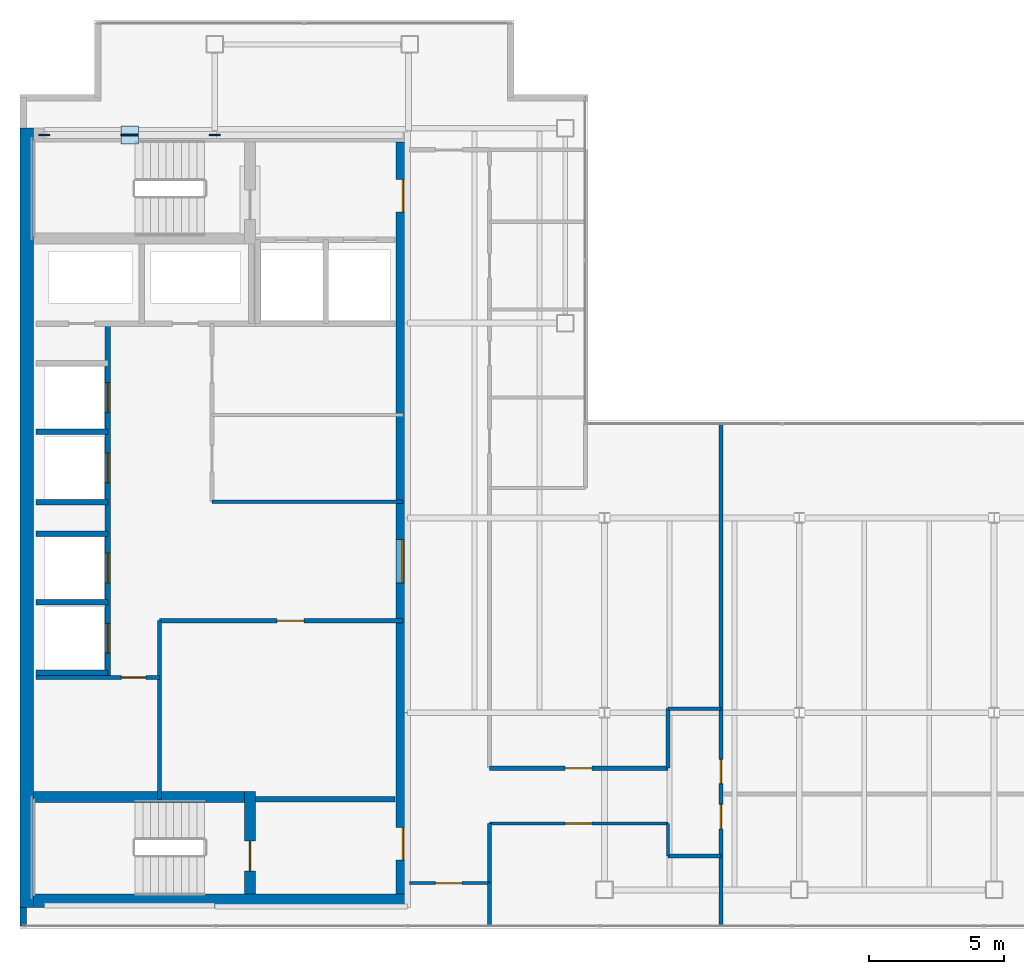
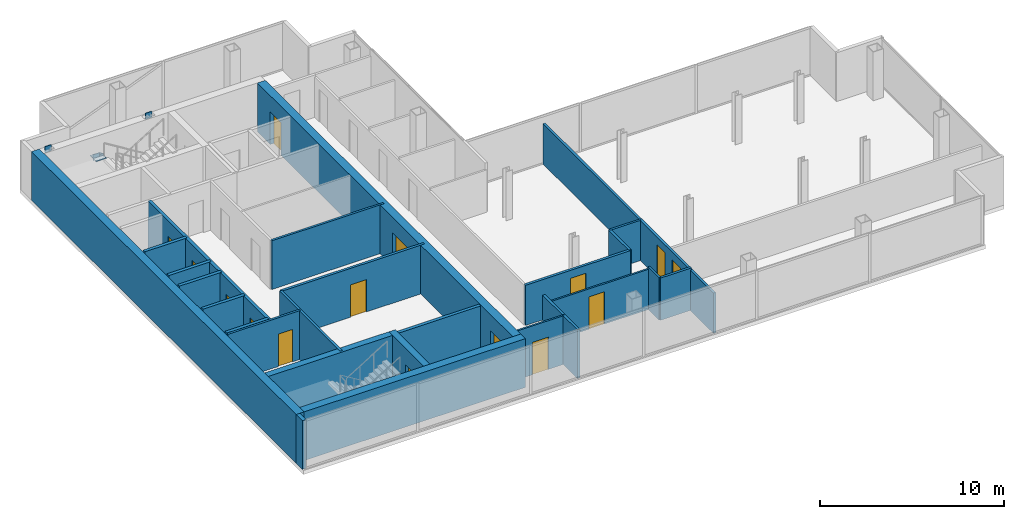
# One storey, part 21 of 24: 27 walls, 15 doors, 5 plates, 15 openings.
"""IFC4 building model written with IfcOpenShell, lengths in metres."""

from ifc_helpers import new_model, si_unit, direction, frame, frame_2d, origin, origin_2d, place, context, subcontext, project, spatial, rectangle, extrude, material, layer, layer_set, type_object, element, fill, save


model = new_model("IFC4")

# Units and contexts
model_context = context("Model", 3, precision=1e-05, world=origin(), true_north=direction((0.0, 1.0)))
body_context = subcontext(model_context, "Body", "Model", "MODEL_VIEW")
ifc_project = project(units=[si_unit("LENGTHUNIT", "METRE"), si_unit("AREAUNIT", "SQUARE_METRE"), si_unit("VOLUMEUNIT", "CUBIC_METRE"), si_unit("PLANEANGLEUNIT", "RADIAN"), si_unit("MASSUNIT", "GRAM", prefix="KILO")], contexts=[model_context])

# Site, building, storey
site_placement = place(None, origin())
site = spatial("IfcSite", under=ifc_project, at=site_placement, CompositionType="ELEMENT")
building_placement = place(site_placement, origin())
building = spatial("IfcBuilding", under=site, at=building_placement, Name="Cobrela Telecom Tower", CompositionType="ELEMENT")
storey_placement = place(building_placement, frame((0.0, 0.0, 248.14990234375)))
storey = spatial("IfcBuildingStorey", under=building, at=storey_placement, Name="L64", CompositionType="ELEMENT", Elevation=248.14990234375)

# Plates
ifc_material_1 = material(Name="Steel ASTM A572 Grade 50", Category="steel")
ifc_layer_1 = layer(ifc_material_1, 0.0419921875)
ifc_layer_set_1 = layer_set([ifc_layer_1], Name="Steel ASTM A572 Grade 50")
plate_type = type_object("IfcPlateType", Name="PLT-NODE-ND1", PredefinedType="USERDEFINED", material=ifc_layer_set_1)
for number, where, z_axis, x_axis, name in (
    (1, (7.199951171875, 35.75, 3.0751953125), (0.0, 0.0, 1.0), (1.0, 0.0, 0.0), "Steel node plate PLT-MBR-EXO-L64-N1-A-1"),
    (2, (4.173828125, 35.75, 1.349609375), (0.0, 0.0, 1.0), (-1.0, 0.0, 0.0), "Steel node plate PLT-MBR-EXO-L64-N1-B1-1"),
    (3, (3.926025390625, 35.75, 1.48046875), (0.0, 0.0, 1.0), (-1.0, 0.0, 0.0), "Steel node plate PLT-MBR-EXO-L64-N1-B2-0"),
    (4, (0.89990234375, 35.75, 3.0751953125), (0.0, 0.0, 1.0), (-1.0, 0.0, 0.0), "Steel node plate PLT-MBR-EXO-L64-N1-B2-1"),
):
    element("IfcPlate", number, at=place(storey_placement, frame(where, z_axis=z_axis, x_axis=x_axis)), inside=storey, type_object=plate_type, Name=name, ObjectType="GUSSET PLATE", PredefinedType="USERDEFINED", context=body_context, shape_type="SweptSolid", body=[
        extrude(rectangle(XDim=0.409912109375, YDim=0.044921875, at=origin_2d()), origin(), (0.0, 0.0, 1.0), 0.409912109375),
    ])
plate_placement = place(storey_placement, frame((4.050048828125, 35.75, 1.59765625), z_axis=(0.0, 0.0, 1.0), x_axis=(1.0, 0.0, 0.0)))
element("IfcPlate", 5, at=plate_placement, inside=storey, type_object=plate_type, Name="L64 Core Flange Steel X-Brace Central X-Crossing Gusset Plate", ObjectType="GUSSET PLATE", PredefinedType="USERDEFINED", context=body_context, shape_type="SweptSolid", body=[
    extrude(rectangle(XDim=0.64990234375, YDim=0.64990234375, at=origin_2d()), origin(), (0.0, 0.0, 1.0), 0.044921875),
])

# Walls
ifc_material_2 = material(Name="Concrete C40/50", Category="concrete")
ifc_layer_2 = layer(ifc_material_2, 0.5)
ifc_layer_set_2 = layer_set([ifc_layer_2], Name="Concrete C40/50")
wall_type_1 = type_object("IfcWallType", Name="WALL-CORE-C40-500", PredefinedType="SHEAR", material=ifc_layer_set_2)
wall_1_placement = place(storey_placement, frame((0.25, 7.199951171875, 0.0), z_axis=(0.0, 0.0, 1.0), x_axis=(0.0, 1.0, 0.0)))
element("IfcWall", 6, at=wall_1_placement, inside=storey, type_object=wall_type_1, Name="L64 West Core Shear Wall", PredefinedType="SHEAR", context=body_context, shape_type="SweptSolid", body=[
    extrude(rectangle(XDim=28.800048828125, YDim=0.5, at=frame_2d((14.39990234375, 0.0))), origin(), (0.0, 0.0, 1.0), 3.239990234375),
])
wall_2_placement = place(storey_placement, frame((0.5, 7.449951171875, 0.0), z_axis=(0.0, 0.0, 1.0), x_axis=(1.0, 0.0, 0.0)))
element("IfcWall", 7, at=wall_2_placement, inside=storey, type_object=wall_type_1, Name="L64 South Core Shear Wall", PredefinedType="SHEAR", context=body_context, shape_type="SweptSolid", body=[
    extrude(rectangle(XDim=13.89990234375, YDim=0.5, at=frame_2d((6.949951171875, 0.0))), origin(), (0.0, 0.0, 1.0), 3.239990234375),
])

# Wall, openings, doors
wall_3_placement = place(storey_placement, frame((14.14990234375, 35.5, 0.0), z_axis=(0.0, 0.0, 1.0), x_axis=(0.0, -1.0, 0.0)))
wall_3 = element("IfcWall", 8, at=wall_3_placement, inside=storey, type_object=wall_type_1, Name="L64 East Core Shear Wall", PredefinedType="SHEAR", context=body_context, shape_type="SweptSolid", body=[
    extrude(rectangle(XDim=27.800048828125, YDim=0.5, at=frame_2d((13.89990234375, 0.0))), origin(), (0.0, 0.0, 1.0), 3.239990234375),
])
opening_1_placement = place(wall_3_placement, frame((1.39990234375, 0.0, 0.0)))
opening_1 = element("IfcOpeningElement", 9, at=opening_1_placement, cuts=wall_3, Name="Opening DR-19", PredefinedType="OPENING", context=body_context, shape_type="SweptSolid", body=[
    extrude(rectangle(XDim=1.199951171875, YDim=2.14990234375, at=frame_2d((0.60009765625, 1.074951171875))), frame((0.0, 0.261962890625, 0.0), z_axis=(0.0, -1.0, 0.0), x_axis=(1.0, 0.0, 0.0)), (0.0, 0.0, 1.0), 0.52392578125),
])
opening_2_placement = place(wall_3_placement, frame((25.35009765625, 0.0, 0.0)))
opening_2 = element("IfcOpeningElement", 10, at=opening_2_placement, cuts=wall_3, Name="Opening DR-19", PredefinedType="OPENING", context=body_context, shape_type="SweptSolid", body=[
    extrude(rectangle(XDim=1.199951171875, YDim=2.14990234375, at=frame_2d((0.60009765625, 1.074951171875))), frame((0.0, 0.261962890625, 0.0), z_axis=(0.0, -1.0, 0.0), x_axis=(1.0, 0.0, 0.0)), (0.0, 0.0, 1.0), 0.52392578125),
])
opening_3_placement = place(wall_3_placement, frame((14.699951171875, 0.0, 0.0)))
opening_3 = element("IfcOpeningElement", 11, at=opening_3_placement, cuts=wall_3, Name="Opening DR-51", PredefinedType="OPENING", context=body_context, shape_type="SweptSolid", body=[
    extrude(rectangle(XDim=1.60009765625, YDim=2.199951171875, at=frame_2d((0.800048828125, 1.10009765625))), frame((0.0, 0.261962890625, 0.0), z_axis=(0.0, -1.0, 0.0), x_axis=(1.0, 0.0, 0.0)), (0.0, 0.0, 1.0), 0.52392578125),
])
ifc_material_3 = material(Name="Steel ASTM A36", Category="steel")
door_type_1 = type_object("IfcDoorType", Name="DOOR-FD60-1200", OperationType="SINGLE_SWING_LEFT", PredefinedType="DOOR", material=ifc_material_3)
door_1_placement = place(opening_1_placement, origin())
door_1 = element("IfcDoor", 12, at=door_1_placement, inside=storey, type_object=door_type_1, Name="L64 Door DR-19", OperationType="SINGLE_SWING_LEFT", OverallHeight=2.14990234375, OverallWidth=1.199951171875, PredefinedType="DOOR", context=body_context, shape_type="SweptSolid", body=[
    extrude(rectangle(XDim=1.199951171875, YDim=2.14990234375, at=frame_2d((0.60009765625, 1.074951171875))), frame((0.0, 0.02490234375, 0.0), z_axis=(0.0, -1.0, 0.0), x_axis=(1.0, 0.0, 0.0)), (0.0, 0.0, 1.0), 0.050048828125),
])
fill(opening_1, door_1)
door_2_placement = place(opening_2_placement, origin())
door_2 = element("IfcDoor", 13, at=door_2_placement, inside=storey, type_object=door_type_1, Name="L64 Door DR-19", OperationType="SINGLE_SWING_RIGHT", OverallHeight=2.14990234375, OverallWidth=1.199951171875, PredefinedType="DOOR", context=body_context, shape_type="SweptSolid", body=[
    extrude(rectangle(XDim=1.199951171875, YDim=2.14990234375, at=frame_2d((0.60009765625, 1.074951171875))), frame((0.0, 0.02490234375, 0.0), z_axis=(0.0, -1.0, 0.0), x_axis=(1.0, 0.0, 0.0)), (0.0, 0.0, 1.0), 0.050048828125),
])
fill(opening_2, door_2)
door_type_2 = type_object("IfcDoorType", Name="DOOR-FD60-1600", OperationType="SINGLE_SWING_LEFT", PredefinedType="DOOR", material=ifc_material_3)
door_3_placement = place(opening_3_placement, origin())
door_3 = element("IfcDoor", 14, at=door_3_placement, inside=storey, type_object=door_type_2, Name="L64 Door DR-51", OperationType="DOUBLE_DOOR_SINGLE_SWING", OverallHeight=2.199951171875, OverallWidth=1.60009765625, PredefinedType="DOOR", context=body_context, shape_type="SweptSolid", body=[
    extrude(rectangle(XDim=1.60009765625, YDim=2.199951171875, at=frame_2d((0.800048828125, 1.10009765625))), frame((0.0, 0.02490234375, 0.0), z_axis=(0.0, -1.0, 0.0), x_axis=(1.0, 0.0, 0.0)), (0.0, 0.0, 1.0), 0.050048828125),
])
fill(opening_3, door_3)

# Wall
ifc_layer_3 = layer(ifc_material_2, 0.239990234375)
ifc_layer_set_3 = layer_set([ifc_layer_3], Name="Concrete C40/50")
wall_type_2 = type_object("IfcWallType", Name="WALL-EXT-300", PredefinedType="STANDARD", material=ifc_layer_set_3)
wall_4_placement = place(storey_placement, frame((0.1201171875, 6.52001953125, 0.0), z_axis=(0.0, 0.0, 1.0), x_axis=(0.0, 1.0, 0.0)))
element("IfcWall", 15, at=wall_4_placement, inside=storey, type_object=wall_type_2, Name="L64 Insulated Facade Wall 01", PredefinedType="STANDARD", context=body_context, shape_type="SweptSolid", body=[
    extrude(rectangle(XDim=0.679931640625, YDim=0.239990234375, at=frame_2d((0.33984375, 0.0))), origin(), (0.0, 0.0, 1.0), 3.239990234375),
])

# Wall, opening, door
ifc_material_4 = material(Name="Fire-Rated Gypsum Plasterboard")
ifc_layer_4 = layer(ifc_material_4, 0.110107421875)
ifc_layer_set_4 = layer_set([ifc_layer_4], Name="Fire-Rated Gypsum Plasterboard")
wall_type_3 = type_object("IfcWallType", Name="WALL-PART-110", PredefinedType="PARTITIONING", material=ifc_layer_set_4)
wall_5_placement = place(storey_placement, frame((14.39990234375, 8.10009765625, 0.0), z_axis=(0.0, 0.0, 1.0), x_axis=(1.0, 0.0, 0.0)))
wall_5 = element("IfcWall", 16, at=wall_5_placement, inside=storey, type_object=wall_type_3, Name="L64 Interior Partition W-C-S0", PredefinedType="PARTITIONING", context=body_context, shape_type="SweptSolid", body=[
    extrude(rectangle(XDim=2.9501953125, YDim=0.110107421875, at=frame_2d((1.47509765625, 0.0))), origin(), (0.0, 0.0, 1.0), 3.239990234375),
])
opening_4_placement = place(wall_5_placement, frame((0.949951171875, 0.0, 0.0)))
opening_4 = element("IfcOpeningElement", 17, at=opening_4_placement, cuts=wall_5, Name="Opening DR-17", PredefinedType="OPENING", context=body_context, shape_type="SweptSolid", body=[
    extrude(rectangle(XDim=0.97998046875, YDim=2.14990234375, at=frame_2d((0.489990234375, 1.074951171875))), frame((0.0, 0.06689453125, 0.0), z_axis=(0.0, -1.0, 0.0), x_axis=(1.0, 0.0, 0.0)), (0.0, 0.0, 1.0), 0.134033203125),
])
ifc_material_5 = material(Name="Solid Engineered Oak Timber", Category="wood")
door_type_3 = type_object("IfcDoorType", Name="DOOR-INT-980", OperationType="SINGLE_SWING_LEFT", PredefinedType="DOOR", material=ifc_material_5)
door_4_placement = place(opening_4_placement, origin())
door_4 = element("IfcDoor", 18, at=door_4_placement, inside=storey, type_object=door_type_3, Name="L64 Door DR-17", OperationType="SINGLE_SWING_RIGHT", OverallHeight=2.14990234375, OverallWidth=0.97998046875, PredefinedType="DOOR", context=body_context, shape_type="SweptSolid", body=[
    extrude(rectangle(XDim=0.97998046875, YDim=2.14990234375, at=frame_2d((0.489990234375, 1.074951171875))), frame((0.0, 0.02490234375, 0.0), z_axis=(0.0, -1.0, 0.0), x_axis=(1.0, 0.0, 0.0)), (0.0, 0.0, 1.0), 0.050048828125),
])
fill(opening_4, door_4)

wall_6_placement = place(storey_placement, frame((17.35009765625, 10.300048828125, 0.0), z_axis=(0.0, 0.0, 1.0), x_axis=(1.0, 0.0, 0.0)))
wall_6 = element("IfcWall", 19, at=wall_6_placement, inside=storey, type_object=wall_type_3, Name="L64 Interior Partition W-C-HS", PredefinedType="PARTITIONING", context=body_context, shape_type="SweptSolid", body=[
    extrude(rectangle(XDim=6.599853515625, YDim=0.110107421875, at=frame_2d((3.2998046875, 0.0))), origin(), (0.0, 0.0, 1.0), 2.676025390625),
])
opening_5_placement = place(wall_6_placement, frame((2.800048828125, 0.0, 0.0)))
opening_5 = element("IfcOpeningElement", 20, at=opening_5_placement, cuts=wall_6, Name="Opening DR-17", PredefinedType="OPENING", context=body_context, shape_type="SweptSolid", body=[
    extrude(rectangle(XDim=0.97998046875, YDim=2.14990234375, at=frame_2d((0.489990234375, 1.074951171875))), frame((0.0, 0.06689453125, 0.0), z_axis=(0.0, -1.0, 0.0), x_axis=(1.0, 0.0, 0.0)), (0.0, 0.0, 1.0), 0.134033203125),
])
door_5_placement = place(opening_5_placement, origin())
door_5 = element("IfcDoor", 21, at=door_5_placement, inside=storey, type_object=door_type_3, Name="L64 Door DR-17", OperationType="SINGLE_SWING_LEFT", OverallHeight=2.14990234375, OverallWidth=0.97998046875, PredefinedType="DOOR", context=body_context, shape_type="SweptSolid", body=[
    extrude(rectangle(XDim=0.97998046875, YDim=2.14990234375, at=frame_2d((0.489990234375, 1.074951171875))), frame((0.0, 0.02490234375, 0.0), z_axis=(0.0, -1.0, 0.0), x_axis=(1.0, 0.0, 0.0)), (0.0, 0.0, 1.0), 0.050048828125),
])
fill(opening_5, door_5)

# Walls
wall_7_placement = place(storey_placement, frame((23.949951171875, 9.10009765625, 0.0), z_axis=(0.0, 0.0, 1.0), x_axis=(0.0, 1.0, 0.0)))
element("IfcWall", 22, at=wall_7_placement, inside=storey, type_object=wall_type_3, Name="L64 Interior Partition W-CT-JW1", PredefinedType="PARTITIONING", context=body_context, shape_type="SweptSolid", body=[
    extrude(rectangle(XDim=1.199951171875, YDim=0.110107421875, at=frame_2d((0.60009765625, 0.0))), origin(), (0.0, 0.0, 1.0), 2.80810546875),
])
ifc_layer_5 = layer(ifc_material_4, 0.135009765625)
ifc_layer_set_5 = layer_set([ifc_layer_5], Name="Fire-Rated Gypsum Plasterboard")
wall_type_4 = type_object("IfcWallType", Name="WALL-PART-135", PredefinedType="PARTITIONING", material=ifc_layer_set_5)
wall_8_placement = place(storey_placement, frame((7.10009765625, 22.199951171875, 0.0), z_axis=(0.0, 0.0, 1.0), x_axis=(1.0, 0.0, 0.0)))
element("IfcWall", 23, at=wall_8_placement, inside=storey, type_object=wall_type_4, Name="L64 Interior Partition CW-RECL-S", PredefinedType="PARTITIONING", context=body_context, shape_type="SweptSolid", body=[
    extrude(rectangle(XDim=7.0498046875, YDim=0.135009765625, at=frame_2d((3.52490234375, 0.0))), origin(), (0.0, 0.0, 1.0), 3.239990234375),
])

# Wall, opening, door
wall_9_placement = place(storey_placement, frame((0.60009765625, 15.699951171875, 0.0), z_axis=(0.0, 0.0, 1.0), x_axis=(1.0, 0.0, 0.0)))
wall_9 = element("IfcWall", 24, at=wall_9_placement, inside=storey, type_object=wall_type_4, Name="L64 Interior Partition CW-FLEX-N", PredefinedType="PARTITIONING", context=body_context, shape_type="SweptSolid", body=[
    extrude(rectangle(XDim=4.5498046875, YDim=0.135009765625, at=frame_2d((2.27490234375, 0.0))), origin(), (0.0, 0.0, 1.0), 3.239990234375),
])
opening_6_placement = place(wall_9_placement, frame((3.14990234375, 0.0, 0.0)))
opening_6 = element("IfcOpeningElement", 25, at=opening_6_placement, cuts=wall_9, Name="Opening DR-41", PredefinedType="OPENING", context=body_context, shape_type="SweptSolid", body=[
    extrude(rectangle(XDim=0.89990234375, YDim=2.14990234375, at=frame_2d((0.449951171875, 1.074951171875))), frame((0.0, 0.07958984375, 0.0), z_axis=(0.0, -1.0, 0.0), x_axis=(1.0, 0.0, 0.0)), (0.0, 0.0, 1.0), 0.158935546875),
])
door_type_4 = type_object("IfcDoorType", Name="DOOR-INT-900", OperationType="SINGLE_SWING_LEFT", PredefinedType="DOOR", material=ifc_material_5)
door_6_placement = place(opening_6_placement, origin())
door_6 = element("IfcDoor", 26, at=door_6_placement, inside=storey, type_object=door_type_4, Name="L64 Door DR-41", OperationType="SINGLE_SWING_LEFT", OverallHeight=2.14990234375, OverallWidth=0.89990234375, PredefinedType="DOOR", context=body_context, shape_type="SweptSolid", body=[
    extrude(rectangle(XDim=0.89990234375, YDim=2.14990234375, at=frame_2d((0.449951171875, 1.074951171875))), frame((0.0, 0.02490234375, 0.0), z_axis=(0.0, -1.0, 0.0), x_axis=(1.0, 0.0, 0.0)), (0.0, 0.0, 1.0), 0.050048828125),
])
fill(opening_6, door_6)

# Walls
wall_10_placement = place(storey_placement, frame((23.949951171875, 14.550048828125, 0.0), z_axis=(0.0, 0.0, 1.0), x_axis=(1.0, 0.0, 0.0)))
element("IfcWall", 27, at=wall_10_placement, inside=storey, type_object=wall_type_4, Name="L64 Interior Partition W-CT-N", PredefinedType="PARTITIONING", context=body_context, shape_type="SweptSolid", body=[
    extrude(rectangle(XDim=1.949951171875, YDim=0.135009765625, at=frame_2d((0.97509765625, 0.0))), origin(), (0.0, 0.0, 1.0), 2.676025390625),
])
ifc_layer_6 = layer(ifc_material_4, 0.14990234375)
ifc_layer_set_6 = layer_set([ifc_layer_6], Name="Fire-Rated Gypsum Plasterboard")
wall_type_5 = type_object("IfcWallType", Name="WALL-PART-150", PredefinedType="PARTITIONING", material=ifc_layer_set_6)
wall_11_placement = place(storey_placement, frame((5.14990234375, 11.199951171875, 0.0), z_axis=(0.0, 0.0, 1.0), x_axis=(0.0, 1.0, 0.0)))
element("IfcWall", 28, at=wall_11_placement, inside=storey, type_object=wall_type_5, Name="L64 Interior Partition CW-RECM-W", PredefinedType="PARTITIONING", context=body_context, shape_type="SweptSolid", body=[
    extrude(rectangle(XDim=6.60009765625, YDim=0.14990234375, at=frame_2d((3.300048828125, 0.0))), origin(), (0.0, 0.0, 1.0), 3.239990234375),
])
wall_12_placement = place(storey_placement, frame((17.35009765625, 8.10009765625, 0.0), z_axis=(0.0, 0.0, 1.0), x_axis=(0.0, 1.0, 0.0)))
element("IfcWall", 29, at=wall_12_placement, inside=storey, type_object=wall_type_5, Name="L64 Interior Partition W-C-E1", PredefinedType="PARTITIONING", context=body_context, shape_type="SweptSolid", body=[
    extrude(rectangle(XDim=2.199951171875, YDim=0.14990234375, at=frame_2d((1.10009765625, 0.0))), origin(), (0.0, 0.0, 1.0), 3.239990234375),
])
wall_13_placement = place(storey_placement, frame((23.949951171875, 9.10009765625, 0.0), z_axis=(0.0, 0.0, 1.0), x_axis=(1.0, 0.0, 0.0)))
element("IfcWall", 30, at=wall_13_placement, inside=storey, type_object=wall_type_5, Name="L64 Interior Partition W-CT-S", PredefinedType="PARTITIONING", context=body_context, shape_type="SweptSolid", body=[
    extrude(rectangle(XDim=1.949951171875, YDim=0.14990234375, at=frame_2d((0.97509765625, 0.0))), origin(), (0.0, 0.0, 1.0), 2.80810546875),
])

# Wall, openings, doors
wall_14_placement = place(storey_placement, frame((25.89990234375, 6.52001953125, 0.0), z_axis=(0.0, 0.0, 1.0), x_axis=(0.0, 1.0, 0.0)))
wall_14 = element("IfcWall", 31, at=wall_14_placement, inside=storey, type_object=wall_type_5, Name="L64 Interior Partition W-C-END", PredefinedType="PARTITIONING", context=body_context, shape_type="SweptSolid", body=[
    extrude(rectangle(XDim=18.56005859375, YDim=0.14990234375, at=frame_2d((9.280029296875, 0.0))), origin(), (0.0, 0.0, 1.0), 2.676025390625),
])
opening_7_placement = place(wall_14_placement, frame((3.590087890625, 0.0, 0.0)))
opening_7 = element("IfcOpeningElement", 32, at=opening_7_placement, cuts=wall_14, Name="Opening DR-41", PredefinedType="OPENING", context=body_context, shape_type="SweptSolid", body=[
    extrude(rectangle(XDim=0.89990234375, YDim=2.14990234375, at=frame_2d((0.449951171875, 1.074951171875))), frame((0.0, 0.0869140625, 0.0), z_axis=(0.0, -1.0, 0.0), x_axis=(1.0, 0.0, 0.0)), (0.0, 0.0, 1.0), 0.173828125),
])
opening_8_placement = place(wall_14_placement, frame((5.260009765625, 0.0, 0.0)))
opening_8 = element("IfcOpeningElement", 33, at=opening_8_placement, cuts=wall_14, Name="Opening DR-41", PredefinedType="OPENING", context=body_context, shape_type="SweptSolid", body=[
    extrude(rectangle(XDim=0.89990234375, YDim=2.14990234375, at=frame_2d((0.449951171875, 1.074951171875))), frame((0.0, 0.0869140625, 0.0), z_axis=(0.0, -1.0, 0.0), x_axis=(1.0, 0.0, 0.0)), (0.0, 0.0, 1.0), 0.173828125),
])
door_7_placement = place(opening_7_placement, origin())
door_7 = element("IfcDoor", 34, at=door_7_placement, inside=storey, type_object=door_type_4, Name="L64 Door DR-41", OperationType="SINGLE_SWING_LEFT", OverallHeight=2.14990234375, OverallWidth=0.89990234375, PredefinedType="DOOR", context=body_context, shape_type="SweptSolid", body=[
    extrude(rectangle(XDim=0.89990234375, YDim=2.14990234375, at=frame_2d((0.449951171875, 1.074951171875))), frame((0.0, 0.02490234375, 0.0), z_axis=(0.0, -1.0, 0.0), x_axis=(1.0, 0.0, 0.0)), (0.0, 0.0, 1.0), 0.050048828125),
])
fill(opening_7, door_7)
door_8_placement = place(opening_8_placement, origin())
door_8 = element("IfcDoor", 35, at=door_8_placement, inside=storey, type_object=door_type_4, Name="L64 Door DR-41", OperationType="SINGLE_SWING_RIGHT", OverallHeight=2.14990234375, OverallWidth=0.89990234375, PredefinedType="DOOR", context=body_context, shape_type="SweptSolid", body=[
    extrude(rectangle(XDim=0.89990234375, YDim=2.14990234375, at=frame_2d((0.449951171875, 1.074951171875))), frame((0.0, 0.02490234375, 0.0), z_axis=(0.0, -1.0, 0.0), x_axis=(1.0, 0.0, 0.0)), (0.0, 0.0, 1.0), 0.050048828125),
])
fill(opening_8, door_8)

# Wall, opening, door
ifc_layer_7 = layer(ifc_material_4, 0.159912109375)
ifc_layer_set_7 = layer_set([ifc_layer_7], Name="Fire-Rated Gypsum Plasterboard")
wall_type_6 = type_object("IfcWallType", Name="WALL-PART-160", PredefinedType="PARTITIONING", material=ifc_layer_set_7)
wall_15_placement = place(storey_placement, frame((5.14990234375, 17.800048828125, 0.0), z_axis=(0.0, 0.0, 1.0), x_axis=(1.0, 0.0, 0.0)))
wall_15 = element("IfcWall", 36, at=wall_15_placement, inside=storey, type_object=wall_type_6, Name="L64 Interior Partition CW-RECM-N", PredefinedType="PARTITIONING", context=body_context, shape_type="SweptSolid", body=[
    extrude(rectangle(XDim=9.0, YDim=0.159912109375, at=frame_2d((4.5, 0.0))), origin(), (0.0, 0.0, 1.0), 3.239990234375),
])
opening_9_placement = place(wall_15_placement, frame((4.35009765625, 0.0, 0.0)))
opening_9 = element("IfcOpeningElement", 37, at=opening_9_placement, cuts=wall_15, Name="Opening DR-31", PredefinedType="OPENING", context=body_context, shape_type="SweptSolid", body=[
    extrude(rectangle(XDim=1.0, YDim=2.14990234375, at=frame_2d((0.5, 1.074951171875))), frame((0.0, 0.091796875, 0.0), z_axis=(0.0, -1.0, 0.0), x_axis=(1.0, 0.0, 0.0)), (0.0, 0.0, 1.0), 0.183837890625),
])
door_type_5 = type_object("IfcDoorType", Name="DOOR-INT-1000", OperationType="SINGLE_SWING_LEFT", PredefinedType="DOOR", material=ifc_material_5)
door_9_placement = place(opening_9_placement, origin())
door_9 = element("IfcDoor", 38, at=door_9_placement, inside=storey, type_object=door_type_5, Name="L64 Door DR-31", OperationType="SINGLE_SWING_LEFT", OverallHeight=2.14990234375, OverallWidth=1.0, PredefinedType="DOOR", context=body_context, shape_type="SweptSolid", body=[
    extrude(rectangle(XDim=1.0, YDim=2.14990234375, at=frame_2d((0.5, 1.074951171875))), frame((0.0, 0.02490234375, 0.0), z_axis=(0.0, -1.0, 0.0), x_axis=(1.0, 0.0, 0.0)), (0.0, 0.0, 1.0), 0.050048828125),
])
fill(opening_9, door_9)

wall_16_placement = place(storey_placement, frame((17.35009765625, 12.35009765625, 0.0), z_axis=(0.0, 0.0, 1.0), x_axis=(1.0, 0.0, 0.0)))
wall_16 = element("IfcWall", 39, at=wall_16_placement, inside=storey, type_object=wall_type_6, Name="L64 Interior Partition W-C-HN", PredefinedType="PARTITIONING", context=body_context, shape_type="SweptSolid", body=[
    extrude(rectangle(XDim=6.599853515625, YDim=0.159912109375, at=frame_2d((3.2998046875, 0.0))), origin(), (0.0, 0.0, 1.0), 2.676025390625),
])
opening_10_placement = place(wall_16_placement, frame((2.800048828125, 0.0, 0.0)))
opening_10 = element("IfcOpeningElement", 40, at=opening_10_placement, cuts=wall_16, Name="Opening DR-17", PredefinedType="OPENING", context=body_context, shape_type="SweptSolid", body=[
    extrude(rectangle(XDim=0.97998046875, YDim=2.14990234375, at=frame_2d((0.489990234375, 1.074951171875))), frame((0.0, 0.091796875, 0.0), z_axis=(0.0, -1.0, 0.0), x_axis=(1.0, 0.0, 0.0)), (0.0, 0.0, 1.0), 0.183837890625),
])
door_10_placement = place(opening_10_placement, origin())
door_10 = element("IfcDoor", 41, at=door_10_placement, inside=storey, type_object=door_type_3, Name="L64 Door DR-17", OperationType="SINGLE_SWING_LEFT", OverallHeight=2.14990234375, OverallWidth=0.97998046875, PredefinedType="DOOR", context=body_context, shape_type="SweptSolid", body=[
    extrude(rectangle(XDim=0.97998046875, YDim=2.14990234375, at=frame_2d((0.489990234375, 1.074951171875))), frame((0.0, 0.02490234375, 0.0), z_axis=(0.0, -1.0, 0.0), x_axis=(1.0, 0.0, 0.0)), (0.0, 0.0, 1.0), 0.050048828125),
])
fill(opening_10, door_10)

# Walls
wall_17_placement = place(storey_placement, frame((23.949951171875, 12.35009765625, 0.0), z_axis=(0.0, 0.0, 1.0), x_axis=(0.0, 1.0, 0.0)))
element("IfcWall", 42, at=wall_17_placement, inside=storey, type_object=wall_type_6, Name="L64 Interior Partition W-CT-JW2", PredefinedType="PARTITIONING", context=body_context, shape_type="SweptSolid", body=[
    extrude(rectangle(XDim=2.199951171875, YDim=0.159912109375, at=frame_2d((1.10009765625, 0.0))), origin(), (0.0, 0.0, 1.0), 2.676025390625),
])
wall_18_placement = place(storey_placement, frame((17.35009765625, 6.52001953125, 0.0), z_axis=(0.0, 0.0, 1.0), x_axis=(0.0, 1.0, 0.0)))
element("IfcWall", 43, at=wall_18_placement, inside=storey, type_object=wall_type_6, Name="L64 Interior Partition W-SW-E", PredefinedType="PARTITIONING", context=body_context, shape_type="SweptSolid", body=[
    extrude(rectangle(XDim=1.580078125, YDim=0.159912109375, at=frame_2d((0.7900390625, 0.0))), origin(), (0.0, 0.0, 1.0), 3.239990234375),
])
ifc_layer_8 = layer(ifc_material_4, 0.199951171875)
ifc_layer_set_8 = layer_set([ifc_layer_8], Name="Fire-Rated Gypsum Plasterboard")
wall_type_7 = type_object("IfcWallType", Name="WALL-SHAFT-200", PredefinedType="PARTITIONING", material=ifc_layer_set_8)
wall_19_placement = place(storey_placement, frame((8.699951171875, 11.199951171875, 0.0), z_axis=(0.0, 0.0, 1.0), x_axis=(1.0, 0.0, 0.0)))
element("IfcWall", 44, at=wall_19_placement, inside=storey, type_object=wall_type_7, Name="L64 Shaft Enclosure CW-ST2L-N", PredefinedType="PARTITIONING", context=body_context, shape_type="SweptSolid", body=[
    extrude(rectangle(XDim=5.150146484375, YDim=0.199951171875, at=frame_2d((2.5751953125, 0.0))), origin(), (0.0, 0.0, 1.0), 3.239990234375),
])

# Wall, openings, doors
wall_20_placement = place(storey_placement, frame((3.25, 15.699951171875, 0.0), z_axis=(0.0, 0.0, 1.0), x_axis=(0.0, 1.0, 0.0)))
wall_20 = element("IfcWall", 45, at=wall_20_placement, inside=storey, type_object=wall_type_7, Name="L64 Shaft Enclosure CW-PLH-E", PredefinedType="PARTITIONING", context=body_context, shape_type="SweptSolid", body=[
    extrude(rectangle(XDim=13.080078125, YDim=0.199951171875, at=frame_2d((6.5400390625, 0.0))), origin(), (0.0, 0.0, 1.0), 3.239990234375),
])
opening_11_placement = place(wall_20_placement, frame((0.89990234375, 0.0, 0.0)))
opening_11 = element("IfcOpeningElement", 46, at=opening_11_placement, cuts=wall_20, Name="Opening LD-1", PredefinedType="OPENING", context=body_context, shape_type="SweptSolid", body=[
    extrude(rectangle(XDim=1.10009765625, YDim=2.199951171875, at=frame_2d((0.550048828125, 1.10009765625))), frame((0.0, 0.11181640625, 0.0), z_axis=(0.0, -1.0, 0.0), x_axis=(1.0, 0.0, 0.0)), (0.0, 0.0, 1.0), 0.223876953125),
])
opening_12_placement = place(wall_20_placement, frame((3.5, 0.0, 0.0)))
opening_12 = element("IfcOpeningElement", 47, at=opening_12_placement, cuts=wall_20, Name="Opening LD-1", PredefinedType="OPENING", context=body_context, shape_type="SweptSolid", body=[
    extrude(rectangle(XDim=1.10009765625, YDim=2.199951171875, at=frame_2d((0.550048828125, 1.10009765625))), frame((0.0, 0.11181640625, 0.0), z_axis=(0.0, -1.0, 0.0), x_axis=(1.0, 0.0, 0.0)), (0.0, 0.0, 1.0), 0.223876953125),
])
opening_13_placement = place(wall_20_placement, frame((7.199951171875, 0.0, 0.0)))
opening_13 = element("IfcOpeningElement", 48, at=opening_13_placement, cuts=wall_20, Name="Opening LD-1", PredefinedType="OPENING", context=body_context, shape_type="SweptSolid", body=[
    extrude(rectangle(XDim=1.10009765625, YDim=2.199951171875, at=frame_2d((0.550048828125, 1.10009765625))), frame((0.0, 0.11181640625, 0.0), z_axis=(0.0, -1.0, 0.0), x_axis=(1.0, 0.0, 0.0)), (0.0, 0.0, 1.0), 0.223876953125),
])
opening_14_placement = place(wall_20_placement, frame((9.800048828125, 0.0, 0.0)))
opening_14 = element("IfcOpeningElement", 49, at=opening_14_placement, cuts=wall_20, Name="Opening LD-1", PredefinedType="OPENING", context=body_context, shape_type="SweptSolid", body=[
    extrude(rectangle(XDim=1.10009765625, YDim=2.199951171875, at=frame_2d((0.550048828125, 1.10009765625))), frame((0.0, 0.11181640625, 0.0), z_axis=(0.0, -1.0, 0.0), x_axis=(1.0, 0.0, 0.0)), (0.0, 0.0, 1.0), 0.223876953125),
])
door_type_6 = type_object("IfcDoorType", Name="DOOR-LD-PL", OperationType="SINGLE_SWING_LEFT", PredefinedType="DOOR", material=ifc_material_3)
door_11_placement = place(opening_11_placement, origin())
door_11 = element("IfcDoor", 50, at=door_11_placement, inside=storey, type_object=door_type_6, Name="L64 Lift Landing Door LD-1", OperationType="DOUBLE_DOOR_SLIDING", OverallHeight=2.199951171875, OverallWidth=1.10009765625, PredefinedType="DOOR", context=body_context, shape_type="SweptSolid", body=[
    extrude(rectangle(XDim=1.10009765625, YDim=2.199951171875, at=frame_2d((0.550048828125, 1.10009765625))), frame((0.0, 0.02490234375, 0.0), z_axis=(0.0, -1.0, 0.0), x_axis=(1.0, 0.0, 0.0)), (0.0, 0.0, 1.0), 0.050048828125),
])
fill(opening_11, door_11)
door_12_placement = place(opening_12_placement, origin())
door_12 = element("IfcDoor", 51, at=door_12_placement, inside=storey, type_object=door_type_6, Name="L64 Lift Landing Door LD-1", OperationType="DOUBLE_DOOR_SLIDING", OverallHeight=2.199951171875, OverallWidth=1.10009765625, PredefinedType="DOOR", context=body_context, shape_type="SweptSolid", body=[
    extrude(rectangle(XDim=1.10009765625, YDim=2.199951171875, at=frame_2d((0.550048828125, 1.10009765625))), frame((0.0, 0.02490234375, 0.0), z_axis=(0.0, -1.0, 0.0), x_axis=(1.0, 0.0, 0.0)), (0.0, 0.0, 1.0), 0.050048828125),
])
fill(opening_12, door_12)
door_13_placement = place(opening_13_placement, origin())
door_13 = element("IfcDoor", 52, at=door_13_placement, inside=storey, type_object=door_type_6, Name="L64 Lift Landing Door LD-1", OperationType="DOUBLE_DOOR_SLIDING", OverallHeight=2.199951171875, OverallWidth=1.10009765625, PredefinedType="DOOR", context=body_context, shape_type="SweptSolid", body=[
    extrude(rectangle(XDim=1.10009765625, YDim=2.199951171875, at=frame_2d((0.550048828125, 1.10009765625))), frame((0.0, 0.02490234375, 0.0), z_axis=(0.0, -1.0, 0.0), x_axis=(1.0, 0.0, 0.0)), (0.0, 0.0, 1.0), 0.050048828125),
])
fill(opening_13, door_13)
door_14_placement = place(opening_14_placement, origin())
door_14 = element("IfcDoor", 53, at=door_14_placement, inside=storey, type_object=door_type_6, Name="L64 Lift Landing Door LD-1", OperationType="DOUBLE_DOOR_SLIDING", OverallHeight=2.199951171875, OverallWidth=1.10009765625, PredefinedType="DOOR", context=body_context, shape_type="SweptSolid", body=[
    extrude(rectangle(XDim=1.10009765625, YDim=2.199951171875, at=frame_2d((0.550048828125, 1.10009765625))), frame((0.0, 0.02490234375, 0.0), z_axis=(0.0, -1.0, 0.0), x_axis=(1.0, 0.0, 0.0)), (0.0, 0.0, 1.0), 0.050048828125),
])
fill(opening_14, door_14)

# Walls
for number, where, z_axis, x_axis, name in (
    (54, (0.60009765625, 15.8798828125, 0.0), (0.0, 0.0, 1.0), (1.0, 0.0, 0.0), "L64 Shaft Enclosure CW-PLH-D9"),
    (55, (0.60009765625, 18.47998046875, 0.0), (0.0, 0.0, 1.0), (1.0, 0.0, 0.0), "L64 Shaft Enclosure CW-PLH-D10"),
    (56, (0.60009765625, 22.179931640625, 0.0), (0.0, 0.0, 1.0), (1.0, 0.0, 0.0), "L64 Shaft Enclosure CW-PLH-D11"),
    (57, (0.60009765625, 24.780029296875, 0.0), (0.0, 0.0, 1.0), (1.0, 0.0, 0.0), "L64 Shaft Enclosure CW-PLH-D12"),
    (58, (0.60009765625, 21.02001953125, 0.0), (0.0, 0.0, 1.0), (1.0, 0.0, 0.0), "L64 Shaft Enclosure CW-PLH-MID"),
):
    element("IfcWall", number, at=place(storey_placement, frame(where, z_axis=z_axis, x_axis=x_axis)), inside=storey, type_object=wall_type_7, Name=name, PredefinedType="PARTITIONING", context=body_context, shape_type="SweptSolid", body=[
        extrude(rectangle(XDim=2.64990234375, YDim=0.199951171875, at=frame_2d((1.324951171875, 0.0))), origin(), (0.0, 0.0, 1.0), 3.239990234375),
    ])
ifc_layer_9 = layer(ifc_material_2, 0.39990234375)
ifc_layer_set_9 = layer_set([ifc_layer_9], Name="Concrete C40/50")
wall_type_8 = type_object("IfcWallType", Name="WALL-SHAFT-C40-400", PredefinedType="SHEAR", material=ifc_layer_set_9)
wall_21_placement = place(storey_placement, frame((0.5, 11.280029296875, 0.0), z_axis=(0.0, 0.0, 1.0), x_axis=(1.0, 0.0, 0.0)))
element("IfcWall", 59, at=wall_21_placement, inside=storey, type_object=wall_type_8, Name="L64 South Stair Shear Wall", PredefinedType="SHEAR", context=body_context, shape_type="SweptSolid", body=[
    extrude(rectangle(XDim=7.800048828125, YDim=0.39990234375, at=frame_2d((3.89990234375, 0.0))), origin(), (0.0, 0.0, 1.0), 3.239990234375),
])

# Wall, opening, door
wall_22_placement = place(storey_placement, frame((8.5, 7.699951171875, 0.0), z_axis=(0.0, 0.0, 1.0), x_axis=(0.0, 1.0, 0.0)))
wall_22 = element("IfcWall", 60, at=wall_22_placement, inside=storey, type_object=wall_type_8, Name="L64 South Stair Lobby Shear Wall", PredefinedType="SHEAR", context=body_context, shape_type="SweptSolid", body=[
    extrude(rectangle(XDim=3.780029296875, YDim=0.39990234375, at=frame_2d((1.89013671875, 0.0))), origin(), (0.0, 0.0, 1.0), 3.239990234375),
])
opening_15_placement = place(wall_22_placement, frame((0.85009765625, 0.0, 0.0)))
opening_15 = element("IfcOpeningElement", 61, at=opening_15_placement, cuts=wall_22, Name="Opening FD-90", PredefinedType="OPENING", context=body_context, shape_type="SweptSolid", body=[
    extrude(rectangle(XDim=1.10009765625, YDim=2.14990234375, at=frame_2d((0.550048828125, 1.074951171875))), frame((0.0, 0.2119140625, 0.0), z_axis=(0.0, -1.0, 0.0), x_axis=(1.0, 0.0, 0.0)), (0.0, 0.0, 1.0), 0.423828125),
])
door_type_7 = type_object("IfcDoorType", Name="DOOR-FD90-1100", OperationType="SINGLE_SWING_LEFT", PredefinedType="DOOR", material=ifc_material_3)
door_15_placement = place(opening_15_placement, origin())
door_15 = element("IfcDoor", 62, at=door_15_placement, inside=storey, type_object=door_type_7, Name="L64 Door FD-90", OperationType="SINGLE_SWING_LEFT", OverallHeight=2.14990234375, OverallWidth=1.10009765625, PredefinedType="DOOR", context=body_context, shape_type="SweptSolid", body=[
    extrude(rectangle(XDim=1.10009765625, YDim=2.14990234375, at=frame_2d((0.550048828125, 1.074951171875))), frame((0.0, 0.02490234375, 0.0), z_axis=(0.0, -1.0, 0.0), x_axis=(1.0, 0.0, 0.0)), (0.0, 0.0, 1.0), 0.050048828125),
])
fill(opening_15, door_15)

save(model, "model.ifc")
